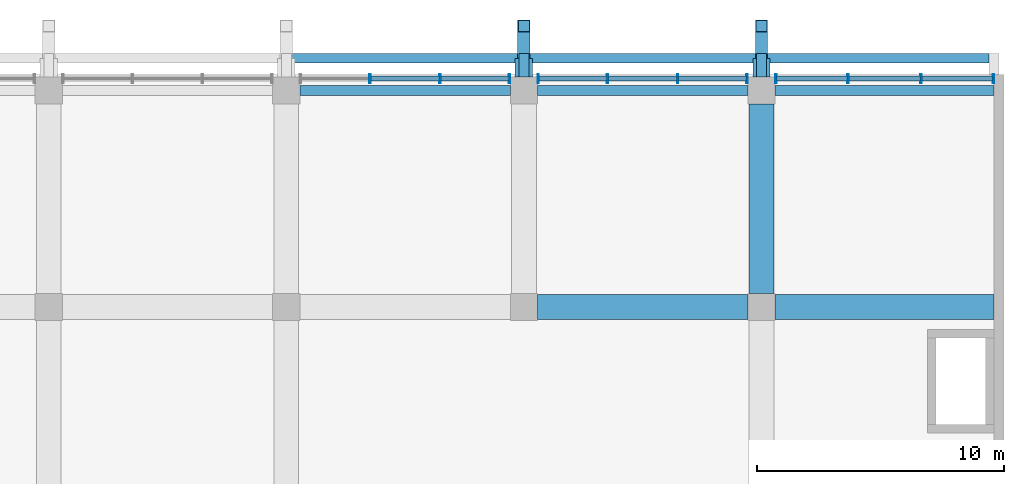
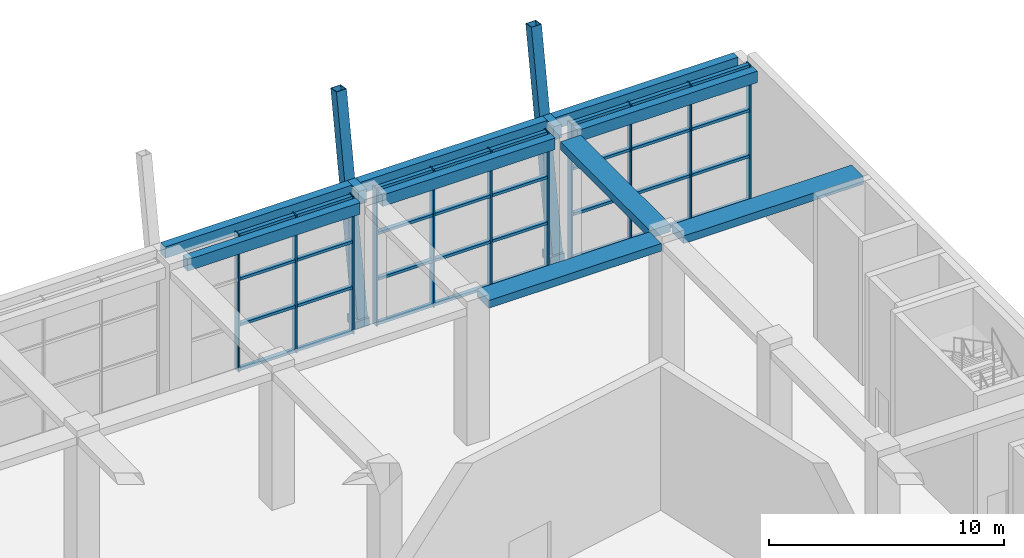
# One storey, part 10 of 36: 45 members, 13 beams, 3 elements without a shape of their own.
"""IFC4 building model written with IfcOpenShell, lengths in metres."""

from ifc_helpers import new_model, si_unit, direction, frame, origin, origin_2d, place, context, subcontext, project, spatial, rectangle, hollow_rectangle, extrude, material, layer, layer_set, material_profile, profile_set, type_object, element, aggregate, save


model = new_model("IFC4")

# Units and contexts
model_context = context("Model", 3, precision=1e-05, world=origin(), true_north=direction((0.0, 1.0)))
body_context = subcontext(model_context, "Body", "Model", "MODEL_VIEW")
ifc_project = project(units=[si_unit("LENGTHUNIT", "METRE"), si_unit("AREAUNIT", "SQUARE_METRE"), si_unit("VOLUMEUNIT", "CUBIC_METRE"), si_unit("PLANEANGLEUNIT", "RADIAN"), si_unit("MASSUNIT", "GRAM", prefix="KILO")], contexts=[model_context])

# Site, building, storey
site_placement = place(None, origin())
site = spatial("IfcSite", under=ifc_project, at=site_placement, CompositionType="ELEMENT")
building_placement = place(site_placement, origin())
building = spatial("IfcBuilding", under=site, at=building_placement, Name="Nzadi Deep Aquarium and Research Tower", CompositionType="ELEMENT")
storey_placement = place(building_placement, frame((0.0, 0.0, 14.199951171875)))
storey = spatial("IfcBuildingStorey", under=building, at=storey_placement, Name="L02", CompositionType="ELEMENT", Elevation=14.199951171875)

# Curtain wall, members
ifc_material_1 = material(Name="Aluminium unitised frame tall span", Category="aluminium")
ifc_layer = layer(ifc_material_1, 0.35009765625)
ifc_layer_set = layer_set([ifc_layer], Name="Aluminium unitised frame tall span")
curtain_wall_type = type_object("IfcCurtainWallType", Name="Curtain wall Podium 350", PredefinedType="NOTDEFINED", material=ifc_layer_set)
curtain_wall_1_placement = place(storey_placement, origin())
curtain_wall_1 = element("IfcCurtainWall", 1, at=curtain_wall_1_placement, inside=storey, type_object=curtain_wall_type, Name="North facade curtain wall L02", PredefinedType="NOTDEFINED")
ifc_material_2 = material(Name="Aluminium unitised frame tall span", Category="aluminium")
ifc_material_profile_1 = material_profile(ifc_material_2, hollow_rectangle(XDim=0.35009765625, YDim=0.06005859375, WallThickness=0.0048828125, at=origin_2d()))
ifc_profile_set_1 = profile_set([ifc_material_profile_1], Name="Aluminium unitised frame tall span")
member_type_1 = type_object("IfcMemberType", Name="Mullion 60x350 Podium", PredefinedType="MULLION", material=ifc_profile_set_1)
member_1_placement = place(storey_placement, frame((32.183349609375, 140.824951171875, 0.0), z_axis=(0.0, 0.0, 1.0), x_axis=(0.0, 1.0, 0.0)))
member_1 = element("IfcMember", 2, at=member_1_placement, type_object=member_type_1, Name="CW252 mullion 2", PredefinedType="MULLION", context=body_context, shape_type="SweptSolid", body=[
    extrude(hollow_rectangle(XDim=0.35009765625, YDim=0.06005859375, WallThickness=0.0048828125, at=origin_2d()), origin(), (0.0, 0.0, 1.0), 7.150146484375),
])
member_2_placement = place(storey_placement, frame((35.0166015625, 140.824951171875, 0.0), z_axis=(0.0, 0.0, 1.0), x_axis=(0.0, 1.0, 0.0)))
member_2 = element("IfcMember", 3, at=member_2_placement, type_object=member_type_1, Name="CW252 mullion 3", PredefinedType="MULLION", context=body_context, shape_type="SweptSolid", body=[
    extrude(hollow_rectangle(XDim=0.35009765625, YDim=0.06005859375, WallThickness=0.0048828125, at=origin_2d()), origin(), (0.0, 0.0, 1.0), 7.150146484375),
])
member_3_placement = place(storey_placement, frame((37.820068359375, 140.824951171875, 0.0), z_axis=(0.0, 0.0, 1.0), x_axis=(0.0, 1.0, 0.0)))
member_3 = element("IfcMember", 4, at=member_3_placement, type_object=member_type_1, Name="CW252 mullion 4", PredefinedType="MULLION", context=body_context, shape_type="SweptSolid", body=[
    extrude(hollow_rectangle(XDim=0.35009765625, YDim=0.06005859375, WallThickness=0.0048828125, at=origin_2d()), origin(), (0.0, 0.0, 1.0), 7.150146484375),
])

curtain_wall_2_placement = place(storey_placement, origin())
curtain_wall_2 = element("IfcCurtainWall", 5, at=curtain_wall_2_placement, inside=storey, type_object=curtain_wall_type, Name="North facade curtain wall L02", PredefinedType="NOTDEFINED")
member_4_placement = place(storey_placement, frame((38.97998046875, 140.824951171875, 0.0), z_axis=(0.0, 0.0, 1.0), x_axis=(0.0, 1.0, 0.0)))
member_4 = element("IfcMember", 6, at=member_4_placement, type_object=member_type_1, Name="CW253 mullion 1", PredefinedType="MULLION", context=body_context, shape_type="SweptSolid", body=[
    extrude(hollow_rectangle(XDim=0.35009765625, YDim=0.06005859375, WallThickness=0.0048828125, at=origin_2d()), origin(), (0.0, 0.0, 1.0), 7.150146484375),
])
member_5_placement = place(storey_placement, frame((41.783447265625, 140.824951171875, 0.0), z_axis=(0.0, 0.0, 1.0), x_axis=(0.0, 1.0, 0.0)))
member_5 = element("IfcMember", 7, at=member_5_placement, type_object=member_type_1, Name="CW253 mullion 2", PredefinedType="MULLION", context=body_context, shape_type="SweptSolid", body=[
    extrude(hollow_rectangle(XDim=0.35009765625, YDim=0.06005859375, WallThickness=0.0048828125, at=origin_2d()), origin(), (0.0, 0.0, 1.0), 7.150146484375),
])
member_6_placement = place(storey_placement, frame((44.61669921875, 140.824951171875, 0.0), z_axis=(0.0, 0.0, 1.0), x_axis=(0.0, 1.0, 0.0)))
member_6 = element("IfcMember", 8, at=member_6_placement, type_object=member_type_1, Name="CW253 mullion 3", PredefinedType="MULLION", context=body_context, shape_type="SweptSolid", body=[
    extrude(hollow_rectangle(XDim=0.35009765625, YDim=0.06005859375, WallThickness=0.0048828125, at=origin_2d()), origin(), (0.0, 0.0, 1.0), 7.150146484375),
])
member_7_placement = place(storey_placement, frame((47.419921875, 140.824951171875, 0.0), z_axis=(0.0, 0.0, 1.0), x_axis=(0.0, 1.0, 0.0)))
member_7 = element("IfcMember", 9, at=member_7_placement, type_object=member_type_1, Name="CW253 mullion 4", PredefinedType="MULLION", context=body_context, shape_type="SweptSolid", body=[
    extrude(hollow_rectangle(XDim=0.35009765625, YDim=0.06005859375, WallThickness=0.0048828125, at=origin_2d()), origin(), (0.0, 0.0, 1.0), 7.150146484375),
])

curtain_wall_3_placement = place(storey_placement, origin())
curtain_wall_3 = element("IfcCurtainWall", 10, at=curtain_wall_3_placement, inside=storey, type_object=curtain_wall_type, Name="North facade curtain wall L02", PredefinedType="NOTDEFINED")
member_8_placement = place(storey_placement, frame((48.580078125, 140.824951171875, 0.0), z_axis=(0.0, 0.0, 1.0), x_axis=(0.0, 1.0, 0.0)))
member_8 = element("IfcMember", 11, at=member_8_placement, type_object=member_type_1, Name="CW254 mullion 1", PredefinedType="MULLION", context=body_context, shape_type="SweptSolid", body=[
    extrude(hollow_rectangle(XDim=0.35009765625, YDim=0.06005859375, WallThickness=0.0048828125, at=origin_2d()), origin(), (0.0, 0.0, 1.0), 7.150146484375),
])
member_9_placement = place(storey_placement, frame((51.5, 140.824951171875, 0.0), z_axis=(0.0, 0.0, 1.0), x_axis=(0.0, 1.0, 0.0)))
member_9 = element("IfcMember", 12, at=member_9_placement, type_object=member_type_1, Name="CW254 mullion 2", PredefinedType="MULLION", context=body_context, shape_type="SweptSolid", body=[
    extrude(hollow_rectangle(XDim=0.35009765625, YDim=0.06005859375, WallThickness=0.0048828125, at=origin_2d()), origin(), (0.0, 0.0, 1.0), 7.150146484375),
])
member_10_placement = place(storey_placement, frame((54.449951171875, 140.824951171875, 0.0), z_axis=(0.0, 0.0, 1.0), x_axis=(0.0, 1.0, 0.0)))
member_10 = element("IfcMember", 13, at=member_10_placement, type_object=member_type_1, Name="CW254 mullion 3", PredefinedType="MULLION", context=body_context, shape_type="SweptSolid", body=[
    extrude(hollow_rectangle(XDim=0.35009765625, YDim=0.06005859375, WallThickness=0.0048828125, at=origin_2d()), origin(), (0.0, 0.0, 1.0), 7.150146484375),
])
member_11_placement = place(storey_placement, frame((57.3701171875, 140.824951171875, 0.0), z_axis=(0.0, 0.0, 1.0), x_axis=(0.0, 1.0, 0.0)))
member_11 = element("IfcMember", 14, at=member_11_placement, type_object=member_type_1, Name="CW254 mullion 4", PredefinedType="MULLION", context=body_context, shape_type="SweptSolid", body=[
    extrude(hollow_rectangle(XDim=0.35009765625, YDim=0.06005859375, WallThickness=0.0048828125, at=origin_2d()), origin(), (0.0, 0.0, 1.0), 7.150146484375),
])

# Beams
ifc_material_3 = material(Name="Concrete C35/45", Category="concrete")
ifc_material_profile_2 = material_profile(ifc_material_3, rectangle(XDim=1.0, YDim=0.39990234375, at=origin_2d()))
ifc_profile_set_2 = profile_set([ifc_material_profile_2], Name="Concrete C35/45")
beam_type_1 = type_object("IfcBeamType", Name="RC 1000x400", PredefinedType="BEAM", material=ifc_profile_set_2)
beam_1_placement = place(storey_placement, frame((38.949951171875, 131.60009765625, 6.949951171875), z_axis=(1.0, 0.0, 0.0), x_axis=(0.0, 1.0, 0.0)))
element("IfcBeam", 15, at=beam_1_placement, inside=storey, type_object=beam_type_1, Name="B-Z3-L02-L17-5", PredefinedType="BEAM", context=body_context, shape_type="SweptSolid", body=[
    extrude(rectangle(XDim=1.0, YDim=0.39990234375, at=origin_2d()), origin(), (0.0, 0.0, 1.0), 8.5),
])
beam_2_placement = place(storey_placement, frame((48.550048828125, 131.60009765625, 6.949951171875), z_axis=(1.0, 0.0, 0.0), x_axis=(0.0, 1.0, 0.0)))
element("IfcBeam", 16, at=beam_2_placement, inside=storey, type_object=beam_type_1, Name="B-Z3-L02-L17-6", PredefinedType="BEAM", context=body_context, shape_type="SweptSolid", body=[
    extrude(rectangle(XDim=1.0, YDim=0.39990234375, at=origin_2d()), origin(), (0.0, 0.0, 1.0), 8.849853515625),
])
beam_3_placement = place(storey_placement, frame((48.0, 132.14990234375, 6.949951171875), z_axis=(0.0, 1.0, 0.0), x_axis=(-1.0, 0.0, 0.0)))
element("IfcBeam", 17, at=beam_3_placement, inside=storey, type_object=beam_type_1, Name="B-Z3-L02-CF-5-13", PredefinedType="BEAM", context=body_context, shape_type="SweptSolid", body=[
    extrude(rectangle(XDim=1.0, YDim=0.39990234375, at=origin_2d()), origin(), (0.0, 0.0, 1.0), 7.650146484375),
])
ifc_material_4 = material(Name="Concrete C35/45", Category="concrete")
ifc_material_profile_3 = material_profile(ifc_material_4, rectangle(XDim=0.39990234375, YDim=0.60009765625, at=origin_2d()))
ifc_profile_set_3 = profile_set([ifc_material_profile_3], Name="Concrete C35/45")
beam_type_2 = type_object("IfcBeamType", Name="RC 400x600", PredefinedType="BEAM", material=ifc_profile_set_3)
for number, where, z_axis, x_axis, name in (
    (18, (29.35009765625, 140.35009765625, 6.85009765625), (1.0, 0.0, 0.0), (0.0, 1.0, 0.0), "B-Z3-L02-L18-4"),
    (19, (38.949951171875, 140.35009765625, 6.85009765625), (1.0, 0.0, 0.0), (0.0, 1.0, 0.0), "B-Z3-L02-L18-5"),
):
    element("IfcBeam", number, at=place(storey_placement, frame(where, z_axis=z_axis, x_axis=x_axis)), inside=storey, type_object=beam_type_2, Name=name, PredefinedType="BEAM", context=body_context, shape_type="SweptSolid", body=[
        extrude(rectangle(XDim=0.39990234375, YDim=0.60009765625, at=origin_2d()), origin(), (0.0, 0.0, 1.0), 8.5),
    ])
beam_4_placement = place(storey_placement, frame((48.550048828125, 140.35009765625, 6.85009765625), z_axis=(1.0, 0.0, 0.0), x_axis=(0.0, 1.0, 0.0)))
element("IfcBeam", 20, at=beam_4_placement, inside=storey, type_object=beam_type_2, Name="B-Z3-L02-L18-6", PredefinedType="BEAM", context=body_context, shape_type="SweptSolid", body=[
    extrude(rectangle(XDim=0.39990234375, YDim=0.60009765625, at=origin_2d()), origin(), (0.0, 0.0, 1.0), 8.849853515625),
])
for number, where, z_axis, x_axis, name in (
    (21, (29.0, 141.64990234375, 6.85009765625), (1.0, 0.0, 0.0), (0.0, 1.0, 0.0), "B-Z3-L03-TB4"),
    (22, (38.60009765625, 141.64990234375, 6.85009765625), (1.0, 0.0, 0.0), (0.0, 1.0, 0.0), "B-Z3-L03-TB5"),
):
    element("IfcBeam", number, at=place(storey_placement, frame(where, z_axis=z_axis, x_axis=x_axis)), inside=storey, type_object=beam_type_2, Name=name, PredefinedType="BEAM", context=body_context, shape_type="SweptSolid", body=[
        extrude(rectangle(XDim=0.39990234375, YDim=0.60009765625, at=origin_2d()), origin(), (0.0, 0.0, 1.0), 9.199951171875),
    ])
beam_5_placement = place(storey_placement, frame((48.199951171875, 141.64990234375, 6.85009765625), z_axis=(1.0, 0.0, 0.0), x_axis=(0.0, 1.0, 0.0)))
element("IfcBeam", 23, at=beam_5_placement, inside=storey, type_object=beam_type_2, Name="B-Z3-L03-TB6", PredefinedType="BEAM", context=body_context, shape_type="SweptSolid", body=[
    extrude(rectangle(XDim=0.39990234375, YDim=0.60009765625, at=origin_2d()), origin(), (0.0, 0.0, 1.0), 9.0),
])
ifc_material_5 = material(Name="Concrete C35/45", Category="concrete")
ifc_material_profile_4 = material_profile(ifc_material_5, rectangle(XDim=0.39990234375, YDim=0.699951171875, at=origin_2d()))
ifc_profile_set_4 = profile_set([ifc_material_profile_4], Name="Concrete C35/45")
beam_type_3 = type_object("IfcBeamType", Name="RC 400x700", PredefinedType="BEAM", material=ifc_profile_set_4)
for number, where, z_axis, x_axis, name in (
    (24, (38.39990234375, 140.89990234375, 6.800048828125), (0.0, 1.0, 0.0), (-1.0, 0.0, 0.0), "B-Z3-L03-CB5"),
    (25, (48.0, 140.89990234375, 6.800048828125), (0.0, 1.0, 0.0), (-1.0, 0.0, 0.0), "B-Z3-L03-CB6"),
):
    element("IfcBeam", number, at=place(storey_placement, frame(where, z_axis=z_axis, x_axis=x_axis)), inside=storey, type_object=beam_type_3, Name=name, PredefinedType="BEAM", context=body_context, shape_type="SweptSolid", body=[
        extrude(rectangle(XDim=0.39990234375, YDim=0.699951171875, at=origin_2d()), origin(), (0.0, 0.0, 1.0), 0.9501953125),
    ])
ifc_material_6 = material(Name="Concrete C35/45", Category="concrete")
ifc_material_profile_5 = material_profile(ifc_material_6, rectangle(XDim=0.699951171875, YDim=0.39990234375, at=origin_2d()))
ifc_profile_set_5 = profile_set([ifc_material_profile_5], Name="Concrete C35/45")
beam_type_4 = type_object("IfcBeamType", Name="RC 700x400", PredefinedType="BEAM", material=ifc_profile_set_5)
for number, where, z_axis, x_axis, name in (
    (26, (38.39990234375, 140.89990234375, 0.199951171875), (0.0, 1.0, 0.0), (-1.0, 0.0, 0.0), "Strut seat corbel"),
    (27, (48.0, 140.89990234375, 0.199951171875), (0.0, 1.0, 0.0), (-1.0, 0.0, 0.0), "Strut seat corbel"),
):
    element("IfcBeam", number, at=place(storey_placement, frame(where, z_axis=z_axis, x_axis=x_axis)), inside=storey, type_object=beam_type_4, Name=name, PredefinedType="BEAM", context=body_context, shape_type="SweptSolid", body=[
        extrude(rectangle(XDim=0.699951171875, YDim=0.39990234375, at=origin_2d()), origin(), (0.0, 0.0, 1.0), 0.7431640625),
    ])

# Members
ifc_material_7 = material(Name="Steel S355", Category="steel")
ifc_material_profile_6 = material_profile(ifc_material_7, hollow_rectangle(XDim=0.5, YDim=0.5, WallThickness=0.02490234375, at=origin_2d()))
ifc_profile_set_6 = profile_set([ifc_material_profile_6], Name="Steel S355")
member_type_2 = type_object("IfcMemberType", Name="RHS 500x500x25", PredefinedType="BRACE", material=ifc_profile_set_6)
for number, where, z_axis, x_axis, name in (
    (28, (38.39990234375, 141.146484375, 0.44140625), (0.0, 0.165193111331, 0.986261241238), (-1.0, 0.0, 0.0), "MB-Z3-CAS-STRUT4"),
    (29, (48.0, 141.146484375, 0.44140625), (0.0, 0.165193111331, 0.986261241238), (-1.0, 0.0, 0.0), "MB-Z3-CAS-STRUT5"),
):
    element("IfcMember", number, at=place(storey_placement, frame(where, z_axis=z_axis, x_axis=x_axis)), inside=storey, type_object=member_type_2, Name=name, PredefinedType="BRACE", context=body_context, shape_type="SweptSolid", body=[
        extrude(hollow_rectangle(XDim=0.5, YDim=0.5, WallThickness=0.02490234375, at=origin_2d()), origin(), (0.0, 0.0, 1.0), 10.917236328125),
    ])

# Member
ifc_material_8 = material(Name="Aluminium unitised frame tall span", Category="aluminium")
ifc_material_profile_7 = material_profile(ifc_material_8, hollow_rectangle(XDim=0.199951171875, YDim=0.139892578125, WallThickness=0.0048828125, at=origin_2d()))
ifc_profile_set_7 = profile_set([ifc_material_profile_7], Name="Aluminium unitised frame tall span")
member_type_3 = type_object("IfcMemberType", Name="Transom 140x200 Podium", PredefinedType="MULLION", material=ifc_profile_set_7)
member_12_placement = place(storey_placement, frame((32.21337890625, 140.824951171875, 0.070068359375), z_axis=(1.0, 0.0, 0.0), x_axis=(0.0, 1.0, 0.0)))
member_12 = element("IfcMember", 30, at=member_12_placement, type_object=member_type_3, Name="CW252 transom 2.1", PredefinedType="MULLION", context=body_context, shape_type="SweptSolid", body=[
    extrude(hollow_rectangle(XDim=0.199951171875, YDim=0.139892578125, WallThickness=0.0048828125, at=origin_2d()), origin(), (0.0, 0.0, 1.0), 2.773193359375),
])

member_13_placement = place(storey_placement, frame((32.21337890625, 140.824951171875, 2.383056640625), z_axis=(1.0, 0.0, 0.0), x_axis=(0.0, 1.0, 0.0)))
member_13 = element("IfcMember", 31, at=member_13_placement, type_object=member_type_3, Name="CW252 transom 2.2", PredefinedType="MULLION", context=body_context, shape_type="SweptSolid", body=[
    extrude(hollow_rectangle(XDim=0.199951171875, YDim=0.139892578125, WallThickness=0.0048828125, at=origin_2d()), origin(), (0.0, 0.0, 1.0), 2.773193359375),
])

member_14_placement = place(storey_placement, frame((32.21337890625, 140.824951171875, 4.76708984375), z_axis=(1.0, 0.0, 0.0), x_axis=(0.0, 1.0, 0.0)))
member_14 = element("IfcMember", 32, at=member_14_placement, type_object=member_type_3, Name="CW252 transom 2.3", PredefinedType="MULLION", context=body_context, shape_type="SweptSolid", body=[
    extrude(hollow_rectangle(XDim=0.199951171875, YDim=0.139892578125, WallThickness=0.0048828125, at=origin_2d()), origin(), (0.0, 0.0, 1.0), 2.773193359375),
])

member_15_placement = place(storey_placement, frame((32.21337890625, 140.824951171875, 7.080078125), z_axis=(1.0, 0.0, 0.0), x_axis=(0.0, 1.0, 0.0)))
member_15 = element("IfcMember", 33, at=member_15_placement, type_object=member_type_3, Name="CW252 transom 2.4", PredefinedType="MULLION", context=body_context, shape_type="SweptSolid", body=[
    extrude(hollow_rectangle(XDim=0.199951171875, YDim=0.139892578125, WallThickness=0.0048828125, at=origin_2d()), origin(), (0.0, 0.0, 1.0), 2.773193359375),
])

member_16_placement = place(storey_placement, frame((35.046630859375, 140.824951171875, 0.070068359375), z_axis=(1.0, 0.0, 0.0), x_axis=(0.0, 1.0, 0.0)))
member_16 = element("IfcMember", 34, at=member_16_placement, type_object=member_type_3, Name="CW252 transom 3.1", PredefinedType="MULLION", context=body_context, shape_type="SweptSolid", body=[
    extrude(hollow_rectangle(XDim=0.199951171875, YDim=0.139892578125, WallThickness=0.0048828125, at=origin_2d()), origin(), (0.0, 0.0, 1.0), 2.743408203125),
])

member_17_placement = place(storey_placement, frame((35.046630859375, 140.824951171875, 2.383056640625), z_axis=(1.0, 0.0, 0.0), x_axis=(0.0, 1.0, 0.0)))
member_17 = element("IfcMember", 35, at=member_17_placement, type_object=member_type_3, Name="CW252 transom 3.2", PredefinedType="MULLION", context=body_context, shape_type="SweptSolid", body=[
    extrude(hollow_rectangle(XDim=0.199951171875, YDim=0.139892578125, WallThickness=0.0048828125, at=origin_2d()), origin(), (0.0, 0.0, 1.0), 2.743408203125),
])

member_18_placement = place(storey_placement, frame((35.046630859375, 140.824951171875, 4.76708984375), z_axis=(1.0, 0.0, 0.0), x_axis=(0.0, 1.0, 0.0)))
member_18 = element("IfcMember", 36, at=member_18_placement, type_object=member_type_3, Name="CW252 transom 3.3", PredefinedType="MULLION", context=body_context, shape_type="SweptSolid", body=[
    extrude(hollow_rectangle(XDim=0.199951171875, YDim=0.139892578125, WallThickness=0.0048828125, at=origin_2d()), origin(), (0.0, 0.0, 1.0), 2.743408203125),
])

member_19_placement = place(storey_placement, frame((35.046630859375, 140.824951171875, 7.080078125), z_axis=(1.0, 0.0, 0.0), x_axis=(0.0, 1.0, 0.0)))
member_19 = element("IfcMember", 37, at=member_19_placement, type_object=member_type_3, Name="CW252 transom 3.4", PredefinedType="MULLION", context=body_context, shape_type="SweptSolid", body=[
    extrude(hollow_rectangle(XDim=0.199951171875, YDim=0.139892578125, WallThickness=0.0048828125, at=origin_2d()), origin(), (0.0, 0.0, 1.0), 2.743408203125),
])

aggregate(curtain_wall_1, [member_1, member_2, member_3, member_12, member_13, member_14, member_15, member_16, member_17, member_18, member_19])

member_20_placement = place(storey_placement, frame((39.010009765625, 140.824951171875, 0.070068359375), z_axis=(1.0, 0.0, 0.0), x_axis=(0.0, 1.0, 0.0)))
member_20 = element("IfcMember", 38, at=member_20_placement, type_object=member_type_3, Name="CW253 transom 1.1", PredefinedType="MULLION", context=body_context, shape_type="SweptSolid", body=[
    extrude(hollow_rectangle(XDim=0.199951171875, YDim=0.139892578125, WallThickness=0.0048828125, at=origin_2d()), origin(), (0.0, 0.0, 1.0), 2.743408203125),
])

member_21_placement = place(storey_placement, frame((39.010009765625, 140.824951171875, 2.383056640625), z_axis=(1.0, 0.0, 0.0), x_axis=(0.0, 1.0, 0.0)))
member_21 = element("IfcMember", 39, at=member_21_placement, type_object=member_type_3, Name="CW253 transom 1.2", PredefinedType="MULLION", context=body_context, shape_type="SweptSolid", body=[
    extrude(hollow_rectangle(XDim=0.199951171875, YDim=0.139892578125, WallThickness=0.0048828125, at=origin_2d()), origin(), (0.0, 0.0, 1.0), 2.743408203125),
])

member_22_placement = place(storey_placement, frame((39.010009765625, 140.824951171875, 4.76708984375), z_axis=(1.0, 0.0, 0.0), x_axis=(0.0, 1.0, 0.0)))
member_22 = element("IfcMember", 40, at=member_22_placement, type_object=member_type_3, Name="CW253 transom 1.3", PredefinedType="MULLION", context=body_context, shape_type="SweptSolid", body=[
    extrude(hollow_rectangle(XDim=0.199951171875, YDim=0.139892578125, WallThickness=0.0048828125, at=origin_2d()), origin(), (0.0, 0.0, 1.0), 2.743408203125),
])

member_23_placement = place(storey_placement, frame((39.010009765625, 140.824951171875, 7.080078125), z_axis=(1.0, 0.0, 0.0), x_axis=(0.0, 1.0, 0.0)))
member_23 = element("IfcMember", 41, at=member_23_placement, type_object=member_type_3, Name="CW253 transom 1.4", PredefinedType="MULLION", context=body_context, shape_type="SweptSolid", body=[
    extrude(hollow_rectangle(XDim=0.199951171875, YDim=0.139892578125, WallThickness=0.0048828125, at=origin_2d()), origin(), (0.0, 0.0, 1.0), 2.743408203125),
])

member_24_placement = place(storey_placement, frame((41.813232421875, 140.824951171875, 0.070068359375), z_axis=(1.0, 0.0, 0.0), x_axis=(0.0, 1.0, 0.0)))
member_24 = element("IfcMember", 42, at=member_24_placement, type_object=member_type_3, Name="CW253 transom 2.1", PredefinedType="MULLION", context=body_context, shape_type="SweptSolid", body=[
    extrude(hollow_rectangle(XDim=0.199951171875, YDim=0.139892578125, WallThickness=0.0048828125, at=origin_2d()), origin(), (0.0, 0.0, 1.0), 2.7734375),
])

member_25_placement = place(storey_placement, frame((41.813232421875, 140.824951171875, 2.383056640625), z_axis=(1.0, 0.0, 0.0), x_axis=(0.0, 1.0, 0.0)))
member_25 = element("IfcMember", 43, at=member_25_placement, type_object=member_type_3, Name="CW253 transom 2.2", PredefinedType="MULLION", context=body_context, shape_type="SweptSolid", body=[
    extrude(hollow_rectangle(XDim=0.199951171875, YDim=0.139892578125, WallThickness=0.0048828125, at=origin_2d()), origin(), (0.0, 0.0, 1.0), 2.7734375),
])

member_26_placement = place(storey_placement, frame((41.813232421875, 140.824951171875, 4.76708984375), z_axis=(1.0, 0.0, 0.0), x_axis=(0.0, 1.0, 0.0)))
member_26 = element("IfcMember", 44, at=member_26_placement, type_object=member_type_3, Name="CW253 transom 2.3", PredefinedType="MULLION", context=body_context, shape_type="SweptSolid", body=[
    extrude(hollow_rectangle(XDim=0.199951171875, YDim=0.139892578125, WallThickness=0.0048828125, at=origin_2d()), origin(), (0.0, 0.0, 1.0), 2.7734375),
])

member_27_placement = place(storey_placement, frame((41.813232421875, 140.824951171875, 7.080078125), z_axis=(1.0, 0.0, 0.0), x_axis=(0.0, 1.0, 0.0)))
member_27 = element("IfcMember", 45, at=member_27_placement, type_object=member_type_3, Name="CW253 transom 2.4", PredefinedType="MULLION", context=body_context, shape_type="SweptSolid", body=[
    extrude(hollow_rectangle(XDim=0.199951171875, YDim=0.139892578125, WallThickness=0.0048828125, at=origin_2d()), origin(), (0.0, 0.0, 1.0), 2.7734375),
])

member_28_placement = place(storey_placement, frame((44.646728515625, 140.824951171875, 0.070068359375), z_axis=(1.0, 0.0, 0.0), x_axis=(0.0, 1.0, 0.0)))
member_28 = element("IfcMember", 46, at=member_28_placement, type_object=member_type_3, Name="CW253 transom 3.1", PredefinedType="MULLION", context=body_context, shape_type="SweptSolid", body=[
    extrude(hollow_rectangle(XDim=0.199951171875, YDim=0.139892578125, WallThickness=0.0048828125, at=origin_2d()), origin(), (0.0, 0.0, 1.0), 2.7431640625),
])

member_29_placement = place(storey_placement, frame((44.646728515625, 140.824951171875, 2.383056640625), z_axis=(1.0, 0.0, 0.0), x_axis=(0.0, 1.0, 0.0)))
member_29 = element("IfcMember", 47, at=member_29_placement, type_object=member_type_3, Name="CW253 transom 3.2", PredefinedType="MULLION", context=body_context, shape_type="SweptSolid", body=[
    extrude(hollow_rectangle(XDim=0.199951171875, YDim=0.139892578125, WallThickness=0.0048828125, at=origin_2d()), origin(), (0.0, 0.0, 1.0), 2.7431640625),
])

member_30_placement = place(storey_placement, frame((44.646728515625, 140.824951171875, 4.76708984375), z_axis=(1.0, 0.0, 0.0), x_axis=(0.0, 1.0, 0.0)))
member_30 = element("IfcMember", 48, at=member_30_placement, type_object=member_type_3, Name="CW253 transom 3.3", PredefinedType="MULLION", context=body_context, shape_type="SweptSolid", body=[
    extrude(hollow_rectangle(XDim=0.199951171875, YDim=0.139892578125, WallThickness=0.0048828125, at=origin_2d()), origin(), (0.0, 0.0, 1.0), 2.7431640625),
])

member_31_placement = place(storey_placement, frame((44.646728515625, 140.824951171875, 7.080078125), z_axis=(1.0, 0.0, 0.0), x_axis=(0.0, 1.0, 0.0)))
member_31 = element("IfcMember", 49, at=member_31_placement, type_object=member_type_3, Name="CW253 transom 3.4", PredefinedType="MULLION", context=body_context, shape_type="SweptSolid", body=[
    extrude(hollow_rectangle(XDim=0.199951171875, YDim=0.139892578125, WallThickness=0.0048828125, at=origin_2d()), origin(), (0.0, 0.0, 1.0), 2.7431640625),
])

aggregate(curtain_wall_2, [member_4, member_5, member_6, member_7, member_20, member_21, member_22, member_23, member_24, member_25, member_26, member_27, member_28, member_29, member_30, member_31])

member_32_placement = place(storey_placement, frame((48.610107421875, 140.824951171875, 0.070068359375), z_axis=(1.0, 0.0, 0.0), x_axis=(0.0, 1.0, 0.0)))
member_32 = element("IfcMember", 50, at=member_32_placement, type_object=member_type_3, Name="CW254 transom 1.1", PredefinedType="MULLION", context=body_context, shape_type="SweptSolid", body=[
    extrude(hollow_rectangle(XDim=0.199951171875, YDim=0.139892578125, WallThickness=0.0048828125, at=origin_2d()), origin(), (0.0, 0.0, 1.0), 2.85986328125),
])

member_33_placement = place(storey_placement, frame((48.610107421875, 140.824951171875, 2.383056640625), z_axis=(1.0, 0.0, 0.0), x_axis=(0.0, 1.0, 0.0)))
member_33 = element("IfcMember", 51, at=member_33_placement, type_object=member_type_3, Name="CW254 transom 1.2", PredefinedType="MULLION", context=body_context, shape_type="SweptSolid", body=[
    extrude(hollow_rectangle(XDim=0.199951171875, YDim=0.139892578125, WallThickness=0.0048828125, at=origin_2d()), origin(), (0.0, 0.0, 1.0), 2.85986328125),
])

member_34_placement = place(storey_placement, frame((48.610107421875, 140.824951171875, 4.76708984375), z_axis=(1.0, 0.0, 0.0), x_axis=(0.0, 1.0, 0.0)))
member_34 = element("IfcMember", 52, at=member_34_placement, type_object=member_type_3, Name="CW254 transom 1.3", PredefinedType="MULLION", context=body_context, shape_type="SweptSolid", body=[
    extrude(hollow_rectangle(XDim=0.199951171875, YDim=0.139892578125, WallThickness=0.0048828125, at=origin_2d()), origin(), (0.0, 0.0, 1.0), 2.85986328125),
])

member_35_placement = place(storey_placement, frame((48.610107421875, 140.824951171875, 7.080078125), z_axis=(1.0, 0.0, 0.0), x_axis=(0.0, 1.0, 0.0)))
member_35 = element("IfcMember", 53, at=member_35_placement, type_object=member_type_3, Name="CW254 transom 1.4", PredefinedType="MULLION", context=body_context, shape_type="SweptSolid", body=[
    extrude(hollow_rectangle(XDim=0.199951171875, YDim=0.139892578125, WallThickness=0.0048828125, at=origin_2d()), origin(), (0.0, 0.0, 1.0), 2.85986328125),
])

member_36_placement = place(storey_placement, frame((51.530029296875, 140.824951171875, 0.070068359375), z_axis=(1.0, 0.0, 0.0), x_axis=(0.0, 1.0, 0.0)))
member_36 = element("IfcMember", 54, at=member_36_placement, type_object=member_type_3, Name="CW254 transom 2.1", PredefinedType="MULLION", context=body_context, shape_type="SweptSolid", body=[
    extrude(hollow_rectangle(XDim=0.199951171875, YDim=0.139892578125, WallThickness=0.0048828125, at=origin_2d()), origin(), (0.0, 0.0, 1.0), 2.889892578125),
])

member_37_placement = place(storey_placement, frame((51.530029296875, 140.824951171875, 2.383056640625), z_axis=(1.0, 0.0, 0.0), x_axis=(0.0, 1.0, 0.0)))
member_37 = element("IfcMember", 55, at=member_37_placement, type_object=member_type_3, Name="CW254 transom 2.2", PredefinedType="MULLION", context=body_context, shape_type="SweptSolid", body=[
    extrude(hollow_rectangle(XDim=0.199951171875, YDim=0.139892578125, WallThickness=0.0048828125, at=origin_2d()), origin(), (0.0, 0.0, 1.0), 2.889892578125),
])

member_38_placement = place(storey_placement, frame((51.530029296875, 140.824951171875, 4.76708984375), z_axis=(1.0, 0.0, 0.0), x_axis=(0.0, 1.0, 0.0)))
member_38 = element("IfcMember", 56, at=member_38_placement, type_object=member_type_3, Name="CW254 transom 2.3", PredefinedType="MULLION", context=body_context, shape_type="SweptSolid", body=[
    extrude(hollow_rectangle(XDim=0.199951171875, YDim=0.139892578125, WallThickness=0.0048828125, at=origin_2d()), origin(), (0.0, 0.0, 1.0), 2.889892578125),
])

member_39_placement = place(storey_placement, frame((51.530029296875, 140.824951171875, 7.080078125), z_axis=(1.0, 0.0, 0.0), x_axis=(0.0, 1.0, 0.0)))
member_39 = element("IfcMember", 57, at=member_39_placement, type_object=member_type_3, Name="CW254 transom 2.4", PredefinedType="MULLION", context=body_context, shape_type="SweptSolid", body=[
    extrude(hollow_rectangle(XDim=0.199951171875, YDim=0.139892578125, WallThickness=0.0048828125, at=origin_2d()), origin(), (0.0, 0.0, 1.0), 2.889892578125),
])

member_40_placement = place(storey_placement, frame((54.47998046875, 140.824951171875, 0.070068359375), z_axis=(1.0, 0.0, 0.0), x_axis=(0.0, 1.0, 0.0)))
member_40 = element("IfcMember", 58, at=member_40_placement, type_object=member_type_3, Name="CW254 transom 3.1", PredefinedType="MULLION", context=body_context, shape_type="SweptSolid", body=[
    extrude(hollow_rectangle(XDim=0.199951171875, YDim=0.139892578125, WallThickness=0.0048828125, at=origin_2d()), origin(), (0.0, 0.0, 1.0), 2.860107421875),
])

member_41_placement = place(storey_placement, frame((54.47998046875, 140.824951171875, 2.383056640625), z_axis=(1.0, 0.0, 0.0), x_axis=(0.0, 1.0, 0.0)))
member_41 = element("IfcMember", 59, at=member_41_placement, type_object=member_type_3, Name="CW254 transom 3.2", PredefinedType="MULLION", context=body_context, shape_type="SweptSolid", body=[
    extrude(hollow_rectangle(XDim=0.199951171875, YDim=0.139892578125, WallThickness=0.0048828125, at=origin_2d()), origin(), (0.0, 0.0, 1.0), 2.860107421875),
])

member_42_placement = place(storey_placement, frame((54.47998046875, 140.824951171875, 4.76708984375), z_axis=(1.0, 0.0, 0.0), x_axis=(0.0, 1.0, 0.0)))
member_42 = element("IfcMember", 60, at=member_42_placement, type_object=member_type_3, Name="CW254 transom 3.3", PredefinedType="MULLION", context=body_context, shape_type="SweptSolid", body=[
    extrude(hollow_rectangle(XDim=0.199951171875, YDim=0.139892578125, WallThickness=0.0048828125, at=origin_2d()), origin(), (0.0, 0.0, 1.0), 2.860107421875),
])

member_43_placement = place(storey_placement, frame((54.47998046875, 140.824951171875, 7.080078125), z_axis=(1.0, 0.0, 0.0), x_axis=(0.0, 1.0, 0.0)))
member_43 = element("IfcMember", 61, at=member_43_placement, type_object=member_type_3, Name="CW254 transom 3.4", PredefinedType="MULLION", context=body_context, shape_type="SweptSolid", body=[
    extrude(hollow_rectangle(XDim=0.199951171875, YDim=0.139892578125, WallThickness=0.0048828125, at=origin_2d()), origin(), (0.0, 0.0, 1.0), 2.860107421875),
])

aggregate(curtain_wall_3, [member_8, member_9, member_10, member_11, member_32, member_33, member_34, member_35, member_36, member_37, member_38, member_39, member_40, member_41, member_42, member_43])

save(model, "model.ifc")
